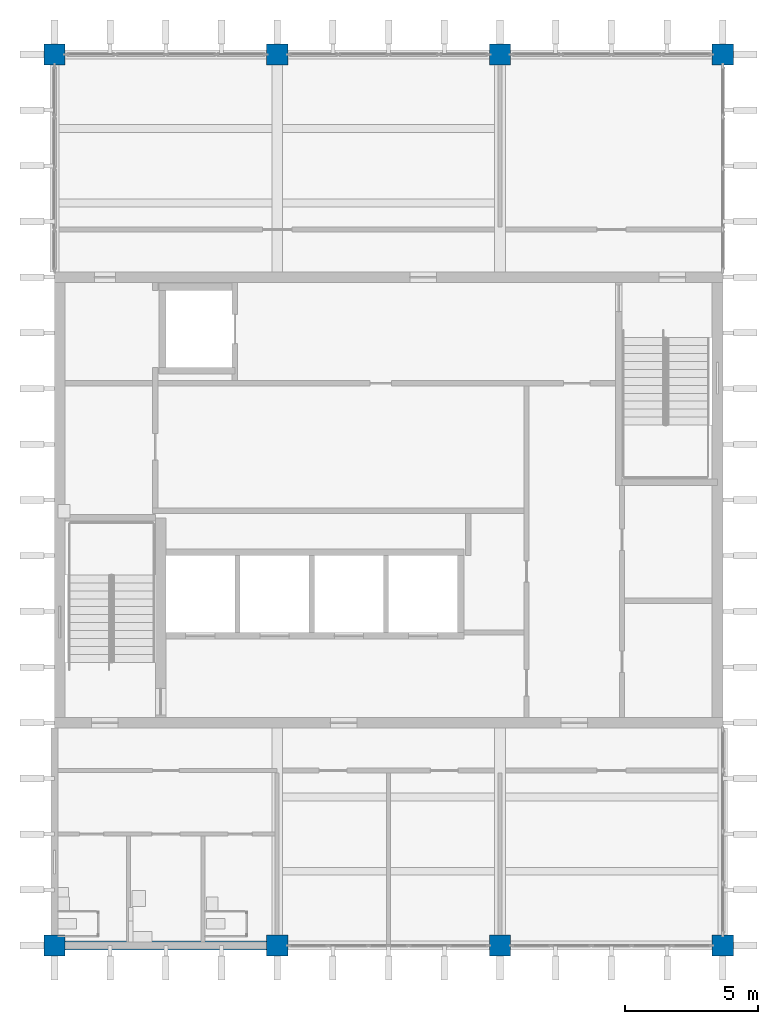
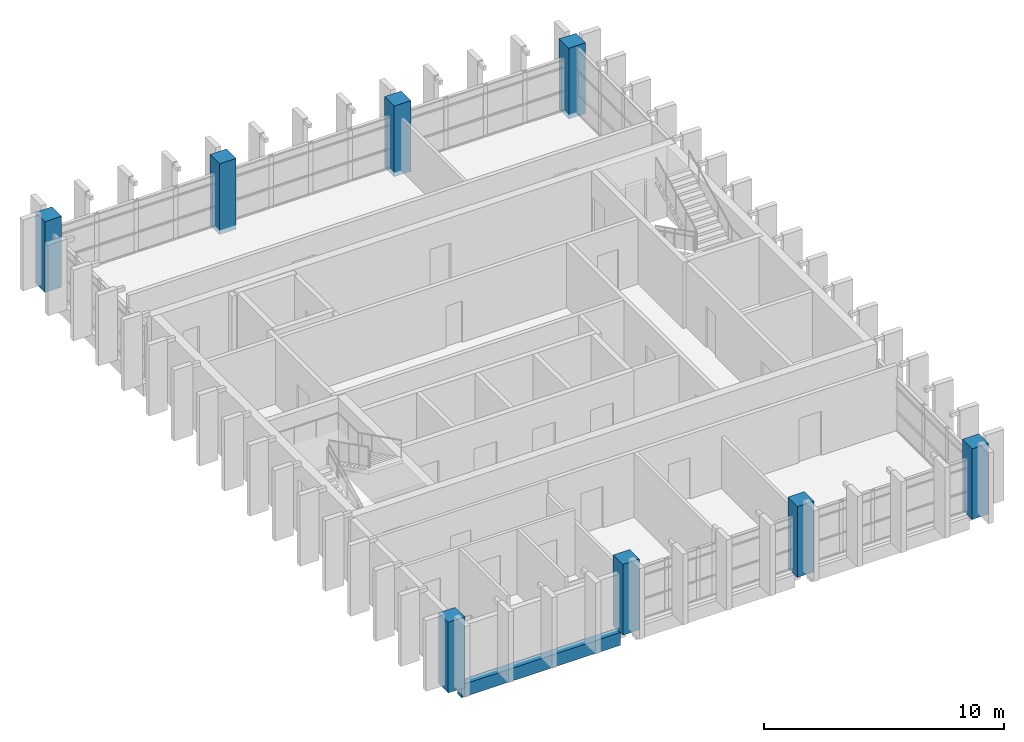
# One storey, part 1 of 11: 8 columns, 1 beam.
"""IFC4 building model written with IfcOpenShell, lengths in metres."""

from ifc_helpers import new_model, si_unit, direction, frame, origin, origin_2d, place, context, subcontext, project, spatial, rectangle, extrude, material, material_profile, profile_set, type_object, element, save


model = new_model("IFC4")

# Units and contexts
model_context = context("Model", 3, precision=1e-05, world=origin(), true_north=direction((0.0, 1.0)))
body_context = subcontext(model_context, "Body", "Model", "MODEL_VIEW")
ifc_project = project(units=[si_unit("LENGTHUNIT", "METRE"), si_unit("AREAUNIT", "SQUARE_METRE"), si_unit("VOLUMEUNIT", "CUBIC_METRE"), si_unit("PLANEANGLEUNIT", "RADIAN"), si_unit("MASSUNIT", "GRAM", prefix="KILO")], contexts=[model_context])

# Site, building, storey
site_placement = place(None, origin())
site = spatial("IfcSite", under=ifc_project, at=site_placement, CompositionType="ELEMENT")
building_placement = place(site_placement, origin())
building = spatial("IfcBuilding", under=site, at=building_placement, Name="Rulbaag Community and Learning Centre", CompositionType="ELEMENT")
storey_placement = place(building_placement, frame((0.0, 0.0, 43.199951171875)))
storey = spatial("IfcBuildingStorey", under=building, at=storey_placement, Name="L11", CompositionType="ELEMENT", Elevation=43.199951171875)

# Columns
ifc_material_1 = material(Name="Concrete M60", Category="concrete")
ifc_material_profile_1 = material_profile(ifc_material_1, rectangle(XDim=0.800048828125, YDim=0.800048828125, at=origin_2d()), Name="RC800x800")
ifc_profile_set_1 = profile_set([ifc_material_profile_1], Name="Concrete M60")
column_type = type_object("IfcColumnType", Name="C4 Column 800x800 Concrete M60", PredefinedType="COLUMN", material=ifc_profile_set_1)
for number, where, z_axis, x_axis, name in (
    (1, (142.800048828125, 84.0, -0.224853515625), (0.0, 0.0, 1.0), (1.0, 0.0, 0.0), "COL-18K-L11"),
    (2, (142.800048828125, 117.60009765625, -0.224853515625), (0.0, 0.0, 1.0), (1.0, 0.0, 0.0), "COL-18O-L11"),
    (3, (151.199951171875, 84.0, -0.224853515625), (0.0, 0.0, 1.0), (1.0, 0.0, 0.0), "COL-19K-L11"),
    (4, (151.199951171875, 117.60009765625, -0.224853515625), (0.0, 0.0, 1.0), (1.0, 0.0, 0.0), "COL-19O-L11"),
    (5, (159.60009765625, 84.0, -0.224853515625), (0.0, 0.0, 1.0), (1.0, 0.0, 0.0), "COL-20K-L11"),
    (6, (159.60009765625, 117.60009765625, -0.224853515625), (0.0, 0.0, 1.0), (1.0, 0.0, 0.0), "COL-20O-L11"),
    (7, (168.0, 84.0, -0.224853515625), (0.0, 0.0, 1.0), (1.0, 0.0, 0.0), "COL-21K-L11"),
    (8, (168.0, 117.60009765625, -0.224853515625), (0.0, 0.0, 1.0), (1.0, 0.0, 0.0), "COL-21O-L11"),
):
    element("IfcColumn", number, at=place(storey_placement, frame(where, z_axis=z_axis, x_axis=x_axis)), inside=storey, type_object=column_type, Name=name, PredefinedType="COLUMN", context=body_context, shape_type="SweptSolid", body=[
        extrude(rectangle(XDim=0.800048828125, YDim=0.800048828125, at=origin_2d()), origin(), (0.0, 0.0, 1.0), 3.599853515625),
    ])

# Beam
ifc_material_2 = material(Name="Concrete M40", Category="concrete")
ifc_material_profile_2 = material_profile(ifc_material_2, rectangle(XDim=0.35009765625, YDim=0.64990234375, at=origin_2d()), Name="RB350x650")
ifc_profile_set_2 = profile_set([ifc_material_profile_2], Name="Concrete M40")
beam_type = type_object("IfcBeamType", Name="B14 Tower edge beam, upper zone 350x650 Concrete M40", PredefinedType="BEAM", material=ifc_profile_set_2)
beam_placement = place(storey_placement, frame((143.179931640625, 84.0, -0.550048828125), z_axis=(1.0, 0.0, 0.0), x_axis=(0.0, 1.0, 0.0)))
element("IfcBeam", 9, at=beam_placement, inside=storey, type_object=beam_type, Name="BM-L11-18K-19K", PredefinedType="BEAM", context=body_context, shape_type="SweptSolid", body=[
    extrude(rectangle(XDim=0.35009765625, YDim=0.64990234375, at=origin_2d()), origin(), (0.0, 0.0, 1.0), 7.64013671875),
])

save(model, "model.ifc")
